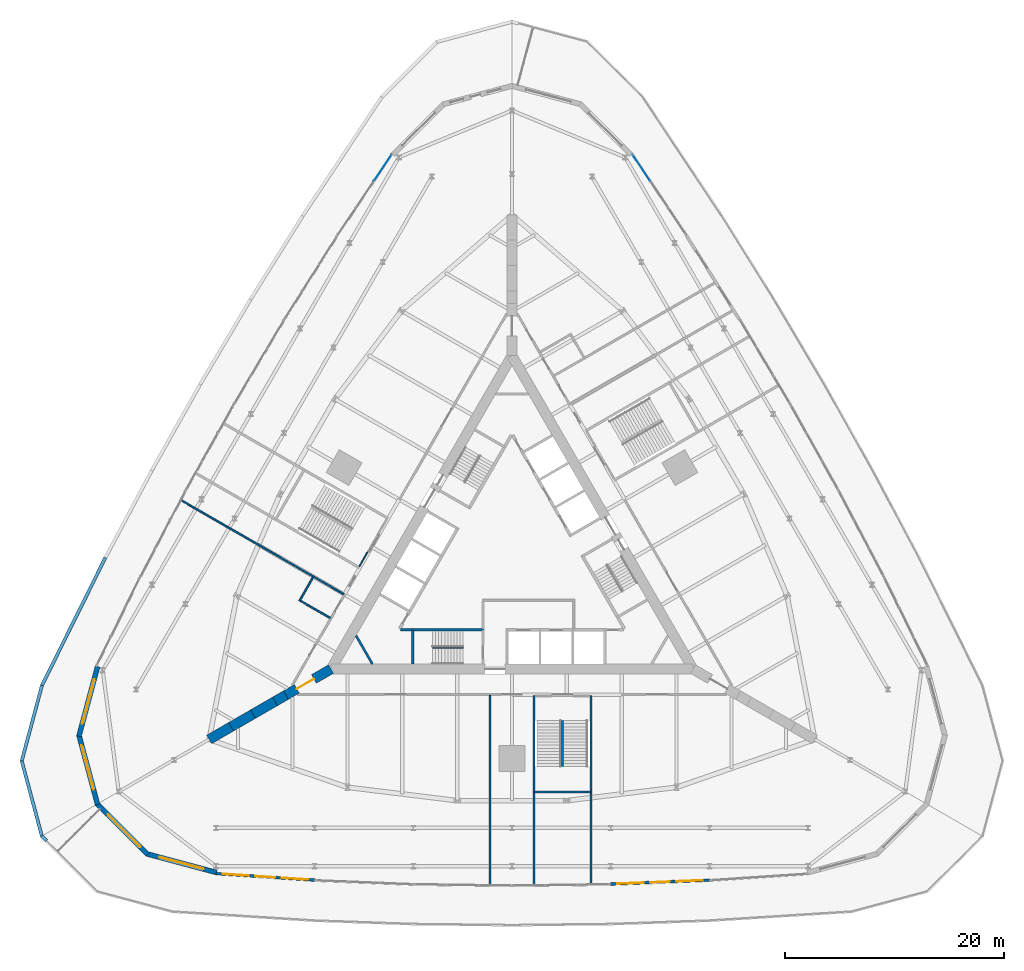
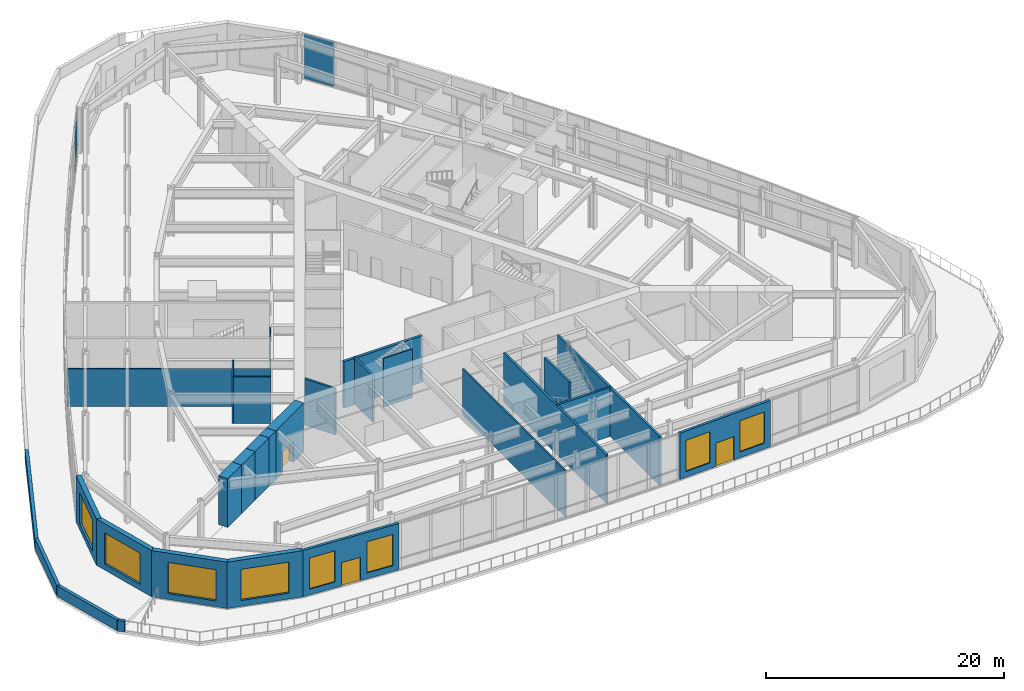
# One storey, part 12 of 20: 28 walls, 8 windows, 4 plates, 3 doors, 11 openings, 2 elements without a shape of their own.
"""IFC4 building model written with IfcOpenShell, lengths in metres."""

from ifc_helpers import new_model, si_unit, direction, frame, frame_2d, origin, origin_2d, place, context, subcontext, project, spatial, rectangle, extrude, material, layer, layer_set, type_object, element, fill, aggregate, save


model = new_model("IFC4")

# Units and contexts
model_context = context("Model", 3, precision=1e-05, world=origin(), true_north=direction((0.0, 1.0)))
body_context = subcontext(model_context, "Body", "Model", "MODEL_VIEW")
ifc_project = project(units=[si_unit("LENGTHUNIT", "METRE"), si_unit("AREAUNIT", "SQUARE_METRE"), si_unit("VOLUMEUNIT", "CUBIC_METRE"), si_unit("PLANEANGLEUNIT", "RADIAN"), si_unit("MASSUNIT", "GRAM", prefix="KILO")], contexts=[model_context])

# Site, building, storey
site_placement = place(None, origin())
site = spatial("IfcSite", under=ifc_project, at=site_placement, CompositionType="ELEMENT")
building_placement = place(site_placement, origin())
building = spatial("IfcBuilding", under=site, at=building_placement, Name="Trikona Tower", CompositionType="ELEMENT")
storey_placement = place(building_placement, frame((0.0, 0.0, 6.0)))
storey = spatial("IfcBuildingStorey", under=building, at=storey_placement, Name="L01", CompositionType="ELEMENT", Elevation=6.0)

# Curtain wall, plates
ifc_material_1 = material(Name="Aluminium curtain wall system", Category="aluminium")
curtain_wall_type = type_object("IfcCurtainWallType", Name="Curtain wall PD", PredefinedType="NOTDEFINED", material=ifc_material_1)
curtain_wall_1_placement = place(storey_placement, origin())
curtain_wall_1 = element("IfcCurtainWall", 1, at=curtain_wall_1_placement, inside=storey, type_object=curtain_wall_type, Name="Curtain wall PD L01", PredefinedType="NOTDEFINED")
ifc_material_2 = material(Name="Clear insulating glass unit", Category="glass")
ifc_layer_1 = layer(ifc_material_2, 0.028076171875)
ifc_layer_set_1 = layer_set([ifc_layer_1], Name="Glass panel PD")
plate_type = type_object("IfcPlateType", Name="Glass panel PD", PredefinedType="CURTAIN_PANEL", material=ifc_layer_set_1)
plate_1_placement = place(storey_placement, frame((11.788330078125, 36.171142578125, 0.08984375), z_axis=(0.0, 0.0, 1.0), x_axis=(-0.556493198213, 0.830852165155, 0.0)))
plate_1 = element("IfcPlate", 2, at=plate_1_placement, type_object=plate_type, Name="CW-PD panel 3.1", PredefinedType="CURTAIN_PANEL", context=body_context, shape_type="SweptSolid", body=[
    extrude(rectangle(XDim=2.831787109375, YDim=0.028076171875, at=origin_2d()), origin(), (0.0, 0.0, 1.0), 0.965087890625),
])
plate_2_placement = place(storey_placement, frame((11.788330078125, 36.171142578125, 1.14501953125), z_axis=(0.0, 0.0, 1.0), x_axis=(-0.556493198213, 0.830852165155, 0.0)))
plate_2 = element("IfcPlate", 3, at=plate_2_placement, type_object=plate_type, Name="CW-PD panel 3.2", PredefinedType="CURTAIN_PANEL", context=body_context, shape_type="SweptSolid", body=[
    extrude(rectangle(XDim=2.831787109375, YDim=0.028076171875, at=origin_2d()), origin(), (0.0, 0.0, 1.0), 3.514892578125),
])
aggregate(curtain_wall_1, [plate_1, plate_2])

curtain_wall_2_placement = place(storey_placement, origin())
curtain_wall_2 = element("IfcCurtainWall", 4, at=curtain_wall_2_placement, inside=storey, type_object=curtain_wall_type, Name="Curtain wall PD L01", PredefinedType="NOTDEFINED")
plate_3_placement = place(storey_placement, frame((-11.788330078125, 36.171142578125, 0.08984375), z_axis=(0.0, 0.0, 1.0), x_axis=(-0.556493198213, -0.830852165155, 0.0)))
plate_3 = element("IfcPlate", 5, at=plate_3_placement, type_object=plate_type, Name="CW-PD panel 1.1", PredefinedType="CURTAIN_PANEL", context=body_context, shape_type="SweptSolid", body=[
    extrude(rectangle(XDim=2.831787109375, YDim=0.028076171875, at=origin_2d()), origin(), (0.0, 0.0, 1.0), 0.965087890625),
])
plate_4_placement = place(storey_placement, frame((-11.788330078125, 36.171142578125, 1.14501953125), z_axis=(0.0, 0.0, 1.0), x_axis=(-0.556493198213, -0.830852165155, 0.0)))
plate_4 = element("IfcPlate", 6, at=plate_4_placement, type_object=plate_type, Name="CW-PD panel 1.2", PredefinedType="CURTAIN_PANEL", context=body_context, shape_type="SweptSolid", body=[
    extrude(rectangle(XDim=2.831787109375, YDim=0.028076171875, at=origin_2d()), origin(), (0.0, 0.0, 1.0), 3.514892578125),
])
aggregate(curtain_wall_2, [plate_3, plate_4])

# Wall, opening, window
ifc_material_3 = material(Name="Brick-faced precast concrete", Category="masonry")
ifc_layer_2 = layer(ifc_material_3, 0.449951171875)
ifc_layer_set_2 = layer_set([ifc_layer_2], Name="Brick-faced corner wall 450")
wall_type_1 = type_object("IfcWallType", Name="Brick-faced corner wall 450", PredefinedType="SOLIDWALL", material=ifc_layer_set_2)
wall_1_placement = place(storey_placement, frame((-37.78271484375, -9.2958984375, 0.0), z_axis=(0.0, 0.0, 1.0), x_axis=(-0.258813420722, -0.96592733332, 0.0)))
wall_1 = element("IfcWall", 7, at=wall_1_placement, inside=storey, type_object=wall_type_1, Name="External wall L01-26", PredefinedType="SOLIDWALL", context=body_context, shape_type="SweptSolid", body=[
    extrude(rectangle(XDim=6.574951171875, YDim=0.449951171875, at=frame_2d((3.28759765625, 0.0))), origin(), (0.0, 0.0, 1.0), 4.75),
])
opening_1_placement = place(wall_1_placement, frame((1.1875, 0.0, 0.60009765625)))
opening_1 = element("IfcOpeningElement", 8, at=opening_1_placement, cuts=wall_1, Name="Opening W4232", PredefinedType="OPENING", context=body_context, shape_type="SweptSolid", body=[
    extrude(rectangle(XDim=4.199951171875, YDim=3.199951171875, at=frame_2d((2.10009765625, 1.60009765625))), frame((0.0, 0.23486328125, 0.0), z_axis=(0.0, -1.0, 0.0), x_axis=(1.0, 0.0, 0.0)), (0.0, 0.0, 1.0), 0.469970703125),
])
ifc_material_4 = material(Name="Aluminium-framed double glazing", Category="aluminium")
window_type_1 = type_object("IfcWindowType", Name="Window 4200x3200", PartitioningType="SINGLE_PANEL", PredefinedType="WINDOW", material=ifc_material_4)
window_1_placement = place(opening_1_placement, origin())
window_1 = element("IfcWindow", 9, at=window_1_placement, inside=storey, type_object=window_type_1, Name="Window L01-LIN", OverallHeight=3.199951171875, OverallWidth=4.199951171875, PartitioningType="SINGLE_PANEL", PredefinedType="WINDOW", context=body_context, shape_type="SweptSolid", body=[
    extrude(rectangle(XDim=4.199951171875, YDim=3.199951171875, at=frame_2d((2.10009765625, 1.60009765625))), frame((0.0, 0.030029296875, 0.0), z_axis=(0.0, -1.0, 0.0), x_axis=(1.0, 0.0, 0.0)), (0.0, 0.0, 1.0), 0.06005859375),
])
fill(opening_1, window_1)

wall_2_placement = place(storey_placement, frame((-39.484375, -15.5302734375, 0.0), z_axis=(0.0, 0.0, 1.0), x_axis=(0.258813420722, -0.96592733332, 0.0)))
wall_2 = element("IfcWall", 10, at=wall_2_placement, inside=storey, type_object=wall_type_1, Name="External wall L01-27", PredefinedType="SOLIDWALL", context=body_context, shape_type="SweptSolid", body=[
    extrude(rectangle(XDim=6.574951171875, YDim=0.449951171875, at=frame_2d((3.28759765625, 0.0))), origin(), (0.0, 0.0, 1.0), 4.75),
])
opening_2_placement = place(wall_2_placement, frame((0.96875, 0.0, 0.60009765625)))
opening_2 = element("IfcOpeningElement", 11, at=opening_2_placement, cuts=wall_2, Name="Opening W4232", PredefinedType="OPENING", context=body_context, shape_type="SweptSolid", body=[
    extrude(rectangle(XDim=4.199951171875, YDim=3.199951171875, at=frame_2d((2.10009765625, 1.60009765625))), frame((0.0, 0.23486328125, 0.0), z_axis=(0.0, -1.0, 0.0), x_axis=(1.0, 0.0, 0.0)), (0.0, 0.0, 1.0), 0.469970703125),
])
window_2_placement = place(opening_2_placement, origin())
window_2 = element("IfcWindow", 12, at=window_2_placement, inside=storey, type_object=window_type_1, Name="Window L01-LIN", OverallHeight=3.199951171875, OverallWidth=4.199951171875, PartitioningType="SINGLE_PANEL", PredefinedType="WINDOW", context=body_context, shape_type="SweptSolid", body=[
    extrude(rectangle(XDim=4.199951171875, YDim=3.199951171875, at=frame_2d((2.10009765625, 1.60009765625))), frame((0.0, 0.030029296875, 0.0), z_axis=(0.0, -1.0, 0.0), x_axis=(1.0, 0.0, 0.0)), (0.0, 0.0, 1.0), 0.06005859375),
])
fill(opening_2, window_2)

wall_3_placement = place(storey_placement, frame((-37.8408203125, -21.7802734375, 0.0), z_axis=(0.0, 0.0, 1.0), x_axis=(0.7070882144, -0.707125347486, 0.0)))
wall_3 = element("IfcWall", 13, at=wall_3_placement, inside=storey, type_object=wall_type_1, Name="External wall L01-28", PredefinedType="SOLIDWALL", context=body_context, shape_type="SweptSolid", body=[
    extrude(rectangle(XDim=6.57470703125, YDim=0.449951171875, at=frame_2d((3.287353515625, 0.0))), origin(), (0.0, 0.0, 1.0), 4.75),
])
opening_3_placement = place(wall_3_placement, frame((1.40576171875, 0.0, 0.60009765625)))
opening_3 = element("IfcOpeningElement", 14, at=opening_3_placement, cuts=wall_3, Name="Opening W4232", PredefinedType="OPENING", context=body_context, shape_type="SweptSolid", body=[
    extrude(rectangle(XDim=4.199951171875, YDim=3.199951171875, at=frame_2d((2.10009765625, 1.60009765625))), frame((0.0, 0.23486328125, 0.0), z_axis=(0.0, -1.0, 0.0), x_axis=(1.0, 0.0, 0.0)), (0.0, 0.0, 1.0), 0.469970703125),
])
window_3_placement = place(opening_3_placement, origin())
window_3 = element("IfcWindow", 15, at=window_3_placement, inside=storey, type_object=window_type_1, Name="Window L01-RST", OverallHeight=3.199951171875, OverallWidth=4.199951171875, PartitioningType="SINGLE_PANEL", PredefinedType="WINDOW", context=body_context, shape_type="SweptSolid", body=[
    extrude(rectangle(XDim=4.199951171875, YDim=3.199951171875, at=frame_2d((2.10009765625, 1.60009765625))), frame((0.0, 0.030029296875, 0.0), z_axis=(0.0, -1.0, 0.0), x_axis=(1.0, 0.0, 0.0)), (0.0, 0.0, 1.0), 0.06005859375),
])
fill(opening_3, window_3)

wall_4_placement = place(storey_placement, frame((-33.292724609375, -26.37109375, 0.0), z_axis=(0.0, 0.0, 1.0), x_axis=(0.965918049854, -0.258848065411, 0.0)))
wall_4 = element("IfcWall", 16, at=wall_4_placement, inside=storey, type_object=wall_type_1, Name="External wall L01-29", PredefinedType="SOLIDWALL", context=body_context, shape_type="SweptSolid", body=[
    extrude(rectangle(XDim=6.574951171875, YDim=0.449951171875, at=frame_2d((3.28759765625, 0.0))), origin(), (0.0, 0.0, 1.0), 4.75),
])
opening_4_placement = place(wall_4_placement, frame((1.1875, 0.0, 0.60009765625)))
opening_4 = element("IfcOpeningElement", 17, at=opening_4_placement, cuts=wall_4, Name="Opening W4232", PredefinedType="OPENING", context=body_context, shape_type="SweptSolid", body=[
    extrude(rectangle(XDim=4.199951171875, YDim=3.199951171875, at=frame_2d((2.10009765625, 1.60009765625))), frame((0.0, 0.23486328125, 0.0), z_axis=(0.0, -1.0, 0.0), x_axis=(1.0, 0.0, 0.0)), (0.0, 0.0, 1.0), 0.469970703125),
])
window_4_placement = place(opening_4_placement, origin())
window_4 = element("IfcWindow", 18, at=window_4_placement, inside=storey, type_object=window_type_1, Name="Window L01-RST", OverallHeight=3.199951171875, OverallWidth=4.199951171875, PartitioningType="SINGLE_PANEL", PredefinedType="WINDOW", context=body_context, shape_type="SweptSolid", body=[
    extrude(rectangle(XDim=4.199951171875, YDim=3.199951171875, at=frame_2d((2.10009765625, 1.60009765625))), frame((0.0, 0.030029296875, 0.0), z_axis=(0.0, -1.0, 0.0), x_axis=(1.0, 0.0, 0.0)), (0.0, 0.0, 1.0), 0.06005859375),
])
fill(opening_4, window_4)

# Wall, opening, door
ifc_material_5 = material(Name="Concrete f'c 10000 psi", Category="concrete")
ifc_layer_3 = layer(ifc_material_5, 0.89990234375)
ifc_layer_set_3 = layer_set([ifc_layer_3], Name="Buttress wall 900")
wall_type_2 = type_object("IfcWallType", Name="Buttress wall 900", PredefinedType="SHEAR", material=ifc_layer_set_3)
wall_5_placement = place(storey_placement, frame((-16.5, -9.5263671875, 0.0), z_axis=(0.0, 0.0, 1.0), x_axis=(-0.866031398331, -0.499989616998, 0.0)))
wall_5 = element("IfcWall", 19, at=wall_5_placement, inside=storey, type_object=wall_type_2, Name="Buttress wall 3", PredefinedType="SHEAR", context=body_context, shape_type="SweptSolid", body=[
    extrude(rectangle(XDim=4.74609375, YDim=0.89990234375, at=frame_2d((2.373046875, 0.0))), origin(), (0.0, 0.0, 1.0), 5.0),
])
opening_5_placement = place(wall_5_placement, frame((1.800048828125, 0.0, 0.0)))
opening_5 = element("IfcOpeningElement", 20, at=opening_5_placement, cuts=wall_5, Name="Opening D10", PredefinedType="OPENING", context=body_context, shape_type="SweptSolid", body=[
    extrude(rectangle(XDim=1.800048828125, YDim=2.1298828125, at=frame_2d((0.89990234375, 1.06494140625))), frame((0.0, 0.4599609375, 0.0), z_axis=(0.0, -1.0, 0.0), x_axis=(1.0, 0.0, 0.0)), (0.0, 0.0, 1.0), 0.919921875),
])
ifc_material_6 = material(Name="Hollow metal door and frame", Category="steel")
door_type_1 = type_object("IfcDoorType", Name="Cross-corridor door pair 1800x2130", OperationType="DOUBLE_DOOR_DOUBLE_SWING", PredefinedType="DOOR", material=ifc_material_6)
door_1_placement = place(opening_5_placement, origin())
door_1 = element("IfcDoor", 21, at=door_1_placement, inside=storey, type_object=door_type_1, Name="Cross-corridor door 3", OperationType="DOUBLE_DOOR_DOUBLE_SWING", OverallHeight=2.1298828125, OverallWidth=1.800048828125, PredefinedType="DOOR", context=body_context, shape_type="SweptSolid", body=[
    extrude(rectangle(XDim=1.800048828125, YDim=2.1298828125, at=frame_2d((0.89990234375, 1.06494140625))), frame((0.0, 0.02490234375, 0.0), z_axis=(0.0, -1.0, 0.0), x_axis=(1.0, 0.0, 0.0)), (0.0, 0.0, 1.0), 0.050048828125),
])
fill(opening_5, door_1)

# Walls
wall_6_placement = place(storey_placement, frame((-20.6103515625, -11.8994140625, 0.0), z_axis=(0.0, 0.0, 1.0), x_axis=(-0.866009537788, -0.500027479704, 0.0)))
element("IfcWall", 22, at=wall_6_placement, inside=storey, type_object=wall_type_2, Name="Buttress wall 3 part 2", PredefinedType="SHEAR", context=body_context, shape_type="SweptSolid", body=[
    extrude(rectangle(XDim=1.15478515625, YDim=0.89990234375, at=frame_2d((0.577392578125, 0.0))), origin(), (0.0, 0.0, 1.0), 5.0),
])
for number, where, z_axis, x_axis, name in (
    (23, (-21.6103515625, -12.476806640625, 0.0), (0.0, 0.0, 1.0), (-0.866055313784, -0.499948190782, 0.0), "Buttress wall 3 part 3"),
    (24, (-23.6103515625, -13.63134765625, 0.0), (0.0, 0.0, 1.0), (-0.866009537788, -0.500027479704, 0.0), "Buttress wall 3 part 4"),
    (25, (-25.6103515625, -14.7861328125, 0.0), (0.0, 0.0, 1.0), (-0.866009537788, -0.500027479704, 0.0), "Buttress wall 3 part 5"),
):
    element("IfcWall", number, at=place(storey_placement, frame(where, z_axis=z_axis, x_axis=x_axis)), inside=storey, type_object=wall_type_2, Name=name, PredefinedType="SHEAR", context=body_context, shape_type="SweptSolid", body=[
        extrude(rectangle(XDim=2.309326171875, YDim=0.89990234375, at=frame_2d((1.15478515625, 0.0))), origin(), (0.0, 0.0, 1.0), 5.0),
    ])
ifc_material_7 = material(Name="Concrete f'c 8000 psi", Category="concrete")
ifc_layer_4 = layer(ifc_material_7, 0.25)
ifc_layer_set_4 = layer_set([ifc_layer_4], Name="Hub wall 250")
wall_type_3 = type_object("IfcWallType", Name="Hub wall 250", PredefinedType="SOLIDWALL", material=ifc_layer_set_4)
wall_7_placement = place(storey_placement, frame((-10.182861328125, -5.951416015625, 0.0), z_axis=(0.0, 0.0, 1.0), x_axis=(1.0, 0.0, 0.0)))
element("IfcWall", 26, at=wall_7_placement, inside=storey, type_object=wall_type_3, Name="Lift lobby wall A1", PredefinedType="SOLIDWALL", context=body_context, shape_type="SweptSolid", body=[
    extrude(rectangle(XDim=7.6328125, YDim=0.25, at=frame_2d((3.81640625, 0.0))), origin(), (0.0, 0.0, 1.0), 4.75),
])

# Wall, openings, door, windows
ifc_material_8 = material(Name="Insulated precast concrete spandrel panel", Category="concrete")
ifc_layer_5 = layer(ifc_material_8, 0.25)
ifc_layer_set_5 = layer_set([ifc_layer_5], Name="Inner skin wall 250")
wall_type_4 = type_object("IfcWallType", Name="Inner skin wall 250", PredefinedType="STANDARD", material=ifc_layer_set_5)
wall_8_placement = place(storey_placement, frame((-26.99169921875, -28.16552734375, 0.0), z_axis=(0.0, 0.0, 1.0), x_axis=(0.997786235602, -0.066502842363, 0.0)))
wall_8 = element("IfcWall", 27, at=wall_8_placement, inside=storey, type_object=wall_type_4, Name="External wall L01-00", PredefinedType="STANDARD", context=body_context, shape_type="SweptSolid", body=[
    extrude(rectangle(XDim=9.02001953125, YDim=0.25, at=frame_2d((4.510009765625, 0.0))), origin(), (0.0, 0.0, 1.0), 4.75),
])
opening_6_placement = place(wall_8_placement, frame((3.610107421875, 0.0, 0.0)))
opening_6 = element("IfcOpeningElement", 28, at=opening_6_placement, cuts=wall_8, Name="Opening D8", PredefinedType="OPENING", context=body_context, shape_type="SweptSolid", body=[
    extrude(rectangle(XDim=1.800048828125, YDim=2.39990234375, at=frame_2d((0.89990234375, 1.199951171875))), frame((0.0, 0.135009765625, 0.0), z_axis=(0.0, -1.0, 0.0), x_axis=(1.0, 0.0, 0.0)), (0.0, 0.0, 1.0), 0.27001953125),
])
opening_7_placement = place(wall_8_placement, frame((0.60498046875, 0.0, 0.60009765625)))
opening_7 = element("IfcOpeningElement", 29, at=opening_7_placement, cuts=wall_8, Name="Opening W2432", PredefinedType="OPENING", context=body_context, shape_type="SweptSolid", body=[
    extrude(rectangle(XDim=2.39990234375, YDim=3.199951171875, at=frame_2d((1.199951171875, 1.60009765625))), frame((0.0, 0.135009765625, 0.0), z_axis=(0.0, -1.0, 0.0), x_axis=(1.0, 0.0, 0.0)), (0.0, 0.0, 1.0), 0.27001953125),
])
opening_8_placement = place(wall_8_placement, frame((6.014892578125, 0.0, 0.60009765625)))
opening_8 = element("IfcOpeningElement", 30, at=opening_8_placement, cuts=wall_8, Name="Opening W2432", PredefinedType="OPENING", context=body_context, shape_type="SweptSolid", body=[
    extrude(rectangle(XDim=2.39990234375, YDim=3.199951171875, at=frame_2d((1.199951171875, 1.60009765625))), frame((0.0, 0.135009765625, 0.0), z_axis=(0.0, -1.0, 0.0), x_axis=(1.0, 0.0, 0.0)), (0.0, 0.0, 1.0), 0.27001953125),
])
ifc_material_9 = material(Name="Aluminium-framed glazed door", Category="aluminium")
door_type_2 = type_object("IfcDoorType", Name="Terrace door pair 1800x2400", OperationType="DOUBLE_DOOR_SINGLE_SWING", PredefinedType="DOOR", material=ifc_material_9)
door_2_placement = place(opening_6_placement, origin())
door_2 = element("IfcDoor", 31, at=door_2_placement, inside=storey, type_object=door_type_2, Name="Terrace door Restaurant and bar", OperationType="DOUBLE_DOOR_SINGLE_SWING", OverallHeight=2.39990234375, OverallWidth=1.800048828125, PredefinedType="DOOR", context=body_context, shape_type="SweptSolid", body=[
    extrude(rectangle(XDim=1.800048828125, YDim=2.39990234375, at=frame_2d((0.89990234375, 1.199951171875))), frame((0.0, 0.02490234375, 0.0), z_axis=(0.0, -1.0, 0.0), x_axis=(1.0, 0.0, 0.0)), (0.0, 0.0, 1.0), 0.050048828125),
])
fill(opening_6, door_2)
ifc_material_10 = material(Name="Aluminium-framed double glazing", Category="aluminium")
window_type_2 = type_object("IfcWindowType", Name="Window 2400x3200", PartitioningType="SINGLE_PANEL", PredefinedType="WINDOW", material=ifc_material_10)
window_5_placement = place(opening_7_placement, origin())
window_5 = element("IfcWindow", 32, at=window_5_placement, inside=storey, type_object=window_type_2, Name="Window L01-RST", OverallHeight=3.199951171875, OverallWidth=2.39990234375, PartitioningType="SINGLE_PANEL", PredefinedType="WINDOW", context=body_context, shape_type="SweptSolid", body=[
    extrude(rectangle(XDim=2.39990234375, YDim=3.199951171875, at=frame_2d((1.199951171875, 1.60009765625))), frame((0.0, 0.030029296875, 0.0), z_axis=(0.0, -1.0, 0.0), x_axis=(1.0, 0.0, 0.0)), (0.0, 0.0, 1.0), 0.06005859375),
])
fill(opening_7, window_5)
window_6_placement = place(opening_8_placement, origin())
window_6 = element("IfcWindow", 33, at=window_6_placement, inside=storey, type_object=window_type_2, Name="Window L01-RST", OverallHeight=3.199951171875, OverallWidth=2.39990234375, PartitioningType="SINGLE_PANEL", PredefinedType="WINDOW", context=body_context, shape_type="SweptSolid", body=[
    extrude(rectangle(XDim=2.39990234375, YDim=3.199951171875, at=frame_2d((1.199951171875, 1.60009765625))), frame((0.0, 0.030029296875, 0.0), z_axis=(0.0, -1.0, 0.0), x_axis=(1.0, 0.0, 0.0)), (0.0, 0.0, 1.0), 0.06005859375),
])
fill(opening_8, window_6)

wall_9_placement = place(storey_placement, frame((8.9951171875, -29.125244140625, 0.0), z_axis=(0.0, 0.0, 1.0), x_axis=(0.999201564791, 0.039952883748, 0.0)))
wall_9 = element("IfcWall", 34, at=wall_9_placement, inside=storey, type_object=wall_type_4, Name="External wall L01-04", PredefinedType="STANDARD", context=body_context, shape_type="SweptSolid", body=[
    extrude(rectangle(XDim=9.007080078125, YDim=0.25, at=frame_2d((4.50341796875, 0.0))), origin(), (0.0, 0.0, 1.0), 4.75),
])
opening_9_placement = place(wall_9_placement, frame((3.603515625, 0.0, 0.0)))
opening_9 = element("IfcOpeningElement", 35, at=opening_9_placement, cuts=wall_9, Name="Opening D8", PredefinedType="OPENING", context=body_context, shape_type="SweptSolid", body=[
    extrude(rectangle(XDim=1.800048828125, YDim=2.39990234375, at=frame_2d((0.89990234375, 1.199951171875))), frame((0.0, 0.135009765625, 0.0), z_axis=(0.0, -1.0, 0.0), x_axis=(1.0, 0.0, 0.0)), (0.0, 0.0, 1.0), 0.27001953125),
])
opening_10_placement = place(wall_9_placement, frame((0.601806640625, 0.0, 0.60009765625)))
opening_10 = element("IfcOpeningElement", 36, at=opening_10_placement, cuts=wall_9, Name="Opening W2432", PredefinedType="OPENING", context=body_context, shape_type="SweptSolid", body=[
    extrude(rectangle(XDim=2.39990234375, YDim=3.199951171875, at=frame_2d((1.199951171875, 1.60009765625))), frame((0.0, 0.135009765625, 0.0), z_axis=(0.0, -1.0, 0.0), x_axis=(1.0, 0.0, 0.0)), (0.0, 0.0, 1.0), 0.27001953125),
])
opening_11_placement = place(wall_9_placement, frame((6.00537109375, 0.0, 0.60009765625)))
opening_11 = element("IfcOpeningElement", 37, at=opening_11_placement, cuts=wall_9, Name="Opening W2432", PredefinedType="OPENING", context=body_context, shape_type="SweptSolid", body=[
    extrude(rectangle(XDim=2.39990234375, YDim=3.199951171875, at=frame_2d((1.199951171875, 1.60009765625))), frame((0.0, 0.135009765625, 0.0), z_axis=(0.0, -1.0, 0.0), x_axis=(1.0, 0.0, 0.0)), (0.0, 0.0, 1.0), 0.27001953125),
])
door_3_placement = place(opening_9_placement, origin())
door_3 = element("IfcDoor", 38, at=door_3_placement, inside=storey, type_object=door_type_2, Name="Terrace door Hotel lounge", OperationType="DOUBLE_DOOR_SINGLE_SWING", OverallHeight=2.39990234375, OverallWidth=1.800048828125, PredefinedType="DOOR", context=body_context, shape_type="SweptSolid", body=[
    extrude(rectangle(XDim=1.800048828125, YDim=2.39990234375, at=frame_2d((0.89990234375, 1.199951171875))), frame((0.0, 0.02490234375, 0.0), z_axis=(0.0, -1.0, 0.0), x_axis=(1.0, 0.0, 0.0)), (0.0, 0.0, 1.0), 0.050048828125),
])
fill(opening_9, door_3)
window_7_placement = place(opening_10_placement, origin())
window_7 = element("IfcWindow", 39, at=window_7_placement, inside=storey, type_object=window_type_2, Name="Window L01-LNG", OverallHeight=3.199951171875, OverallWidth=2.39990234375, PartitioningType="SINGLE_PANEL", PredefinedType="WINDOW", context=body_context, shape_type="SweptSolid", body=[
    extrude(rectangle(XDim=2.39990234375, YDim=3.199951171875, at=frame_2d((1.199951171875, 1.60009765625))), frame((0.0, 0.030029296875, 0.0), z_axis=(0.0, -1.0, 0.0), x_axis=(1.0, 0.0, 0.0)), (0.0, 0.0, 1.0), 0.06005859375),
])
fill(opening_10, window_7)
window_8_placement = place(opening_11_placement, origin())
window_8 = element("IfcWindow", 40, at=window_8_placement, inside=storey, type_object=window_type_2, Name="Window L01-LNG", OverallHeight=3.199951171875, OverallWidth=2.39990234375, PartitioningType="SINGLE_PANEL", PredefinedType="WINDOW", context=body_context, shape_type="SweptSolid", body=[
    extrude(rectangle(XDim=2.39990234375, YDim=3.199951171875, at=frame_2d((1.199951171875, 1.60009765625))), frame((0.0, 0.030029296875, 0.0), z_axis=(0.0, -1.0, 0.0), x_axis=(1.0, 0.0, 0.0)), (0.0, 0.0, 1.0), 0.06005859375),
])
fill(opening_11, window_8)

# Walls
ifc_material_11 = material(Name="Brick-faced precast concrete", Category="masonry")
ifc_layer_6 = layer(ifc_material_11, 0.300048828125)
ifc_layer_set_6 = layer_set([ifc_layer_6], Name="Parapet wall 300")
wall_type_5 = type_object("IfcWallType", Name="Parapet wall 300", PredefinedType="PARAPET", material=ifc_layer_set_6)
wall_10_placement = place(storey_placement, frame((-42.44140625, -25.172607421875, 0.0), z_axis=(0.0, 0.0, 1.0), x_axis=(-0.707106781187, 0.707106781187, 0.0)))
element("IfcWall", 41, at=wall_10_placement, inside=storey, type_object=wall_type_5, Name="Green roof parapet L01-1-00", PredefinedType="PARAPET", context=body_context, shape_type="SweptSolid", body=[
    extrude(rectangle(XDim=0.599609375, YDim=0.300048828125, at=frame_2d((0.2998046875, 0.0))), origin(), (0.0, 0.0, 1.0), 1.10009765625),
])
wall_11_placement = place(storey_placement, frame((-42.865478515625, -24.74853515625, 0.0), z_axis=(0.0, 0.0, 1.0), x_axis=(-0.258830146848, 0.965922851517, 0.0)))
element("IfcWall", 42, at=wall_11_placement, inside=storey, type_object=wall_type_5, Name="Green roof parapet L01-1-01", PredefinedType="PARAPET", context=body_context, shape_type="SweptSolid", body=[
    extrude(rectangle(XDim=7.09228515625, YDim=0.300048828125, at=frame_2d((3.546142578125, 0.0))), origin(), (0.0, 0.0, 1.0), 1.10009765625),
])
wall_12_placement = place(storey_placement, frame((-44.701171875, -17.89794921875, 0.0), z_axis=(0.0, 0.0, 1.0), x_axis=(0.258836670666, 0.965921103361, 0.0)))
element("IfcWall", 43, at=wall_12_placement, inside=storey, type_object=wall_type_5, Name="Green roof parapet L01-1-02", PredefinedType="PARAPET", context=body_context, shape_type="SweptSolid", body=[
    extrude(rectangle(XDim=7.11767578125, YDim=0.300048828125, at=frame_2d((3.558837890625, 0.0))), origin(), (0.0, 0.0, 1.0), 1.10009765625),
])
wall_13_placement = place(storey_placement, frame((-42.85888671875, -11.02294921875, 0.0), z_axis=(0.0, 0.0, 1.0), x_axis=(0.444351186514, 0.895852679319, 0.0)))
element("IfcWall", 44, at=wall_13_placement, inside=storey, type_object=wall_type_5, Name="Green roof parapet L01-1-03", PredefinedType="PARAPET", context=body_context, shape_type="SweptSolid", body=[
    extrude(rectangle(XDim=13.0087890625, YDim=0.300048828125, at=frame_2d((6.50439453125, 0.0))), origin(), (0.0, 0.0, 1.0), 1.10009765625),
])
ifc_material_12 = material(Name="Metal stud and gypsum board, 1-hour acoustic", Category="gypsum")
ifc_layer_7 = layer(ifc_material_12, 0.14990234375)
ifc_layer_set_7 = layer_set([ifc_layer_7], Name="Party wall 150")
wall_type_6 = type_object("IfcWallType", Name="Party wall 150", PredefinedType="PARTITIONING", material=ifc_layer_set_7)
wall_14_placement = place(storey_placement, frame((-2.0, -11.92626953125, 0.0), z_axis=(0.0, 0.0, 1.0), x_axis=(0.0, -1.0, 0.0)))
element("IfcWall", 45, at=wall_14_placement, inside=storey, type_object=wall_type_6, Name="Partition L01 F1 u-2", PredefinedType="PARTITIONING", context=body_context, shape_type="SweptSolid", body=[
    extrude(rectangle(XDim=17.236328125, YDim=0.14990234375, at=frame_2d((8.6181640625, 0.0))), origin(), (0.0, 0.0, 1.0), 4.75),
])
wall_15_placement = place(storey_placement, frame((-15.32861328125, -2.697021484375, 0.0), z_axis=(0.0, 0.0, 1.0), x_axis=(-0.866025820012, 0.499999279071, 0.0)))
element("IfcWall", 46, at=wall_15_placement, inside=storey, type_object=wall_type_6, Name="Partition L01 F3 u10", PredefinedType="PARTITIONING", context=body_context, shape_type="SweptSolid", body=[
    extrude(rectangle(XDim=17.1005859375, YDim=0.14990234375, at=frame_2d((8.55029296875, 0.0))), origin(), (0.0, 0.0, 1.0), 3.8076171875),
])
wall_16_placement = place(storey_placement, frame((-18.13720703125, -1.162109375, 0.0), z_axis=(0.0, 0.0, 1.0), x_axis=(-0.500004234368, -0.866022959057, 0.0)))
element("IfcWall", 47, at=wall_16_placement, inside=storey, type_object=wall_type_6, Name="Partition L01 F3 u10 back", PredefinedType="PARTITIONING", context=body_context, shape_type="SweptSolid", body=[
    extrude(rectangle(XDim=2.5, YDim=0.14990234375, at=frame_2d((1.25, 0.0))), origin(), (0.0, 0.0, 1.0), 4.75),
])
wall_17_placement = place(storey_placement, frame((-16.57861328125, -4.8623046875, 0.0), z_axis=(0.0, 0.0, 1.0), x_axis=(-0.866022959057, 0.500004234368, 0.0)))
element("IfcWall", 48, at=wall_17_placement, inside=storey, type_object=wall_type_6, Name="Partition L01 F3 u12.5", PredefinedType="PARTITIONING", context=body_context, shape_type="SweptSolid", body=[
    extrude(rectangle(XDim=3.125, YDim=0.14990234375, at=frame_2d((1.5625, 0.0))), origin(), (0.0, 0.0, 1.0), 4.75),
])
ifc_material_13 = material(Name="Concrete f'c 8000 psi", Category="concrete")
ifc_layer_8 = layer(ifc_material_13, 0.199951171875)
ifc_layer_set_8 = layer_set([ifc_layer_8], Name="Shaft wall 200")
wall_type_7 = type_object("IfcWallType", Name="Shaft wall 200", PredefinedType="SOLIDWALL", material=ifc_layer_set_8)
wall_18_placement = place(storey_placement, frame((-12.718505859375, -9.076416015625, 0.0), z_axis=(0.0, 0.0, 1.0), x_axis=(-0.499952404951, 0.866052881055, 0.0)))
element("IfcWall", 49, at=wall_18_placement, inside=storey, type_object=wall_type_7, Name="Riser wall L01-RS3", PredefinedType="SOLIDWALL", context=body_context, shape_type="SweptSolid", body=[
    extrude(rectangle(XDim=3.002197265625, YDim=0.199951171875, at=frame_2d((1.5009765625, 0.0))), origin(), (0.0, 0.0, 1.0), 4.75),
])
ifc_material_14 = material(Name="Concrete f'c 8000 psi", Category="concrete")
ifc_layer_9 = layer(ifc_material_14, 0.199951171875)
ifc_layer_set_9 = layer_set([ifc_layer_9], Name="Shaft wall 200 load-bearing")
wall_type_8 = type_object("IfcWallType", Name="Shaft wall 200 load-bearing", PredefinedType="SOLIDWALL", material=ifc_layer_set_9)
wall_19_placement = place(storey_placement, frame((-9.050048828125, -5.951416015625, 0.0), z_axis=(0.0, 0.0, 1.0), x_axis=(0.0, -1.0, 0.0)))
element("IfcWall", 50, at=wall_19_placement, inside=storey, type_object=wall_type_8, Name="Shaft wall A1", PredefinedType="SOLIDWALL", context=body_context, shape_type="SweptSolid", body=[
    extrude(rectangle(XDim=3.125, YDim=0.199951171875, at=frame_2d((1.5625, 0.0))), origin(), (0.0, 0.0, 1.0), 4.75),
])
ifc_material_15 = material(Name="Concrete f'c 6000 psi", Category="concrete")
ifc_layer_10 = layer(ifc_material_15, 0.10009765625)
ifc_layer_set_10 = layer_set([ifc_layer_10], Name="Stair enclosure wall 100")
wall_type_9 = type_object("IfcWallType", Name="Stair enclosure wall 100", PredefinedType="SOLIDWALL", material=ifc_layer_set_10)
wall_20_placement = place(storey_placement, frame((-13.171875, 1.138427734375, 0.0), z_axis=(0.0, 0.0, 1.0), x_axis=(-0.499990139034, -0.866031096941, 0.0)))
element("IfcWall", 51, at=wall_20_placement, inside=storey, type_object=wall_type_9, Name="Podium stair PS3 end pier 2 L01", PredefinedType="SOLIDWALL", context=body_context, shape_type="SweptSolid", body=[
    extrude(rectangle(XDim=1.5, YDim=0.10009765625, at=frame_2d((0.75, 0.0))), origin(), (0.0, 0.0, 1.0), 5.0),
])
ifc_material_16 = material(Name="Concrete f'c 6000 psi", Category="concrete")
ifc_layer_11 = layer(ifc_material_16, 0.199951171875)
ifc_layer_set_11 = layer_set([ifc_layer_11], Name="Stair enclosure wall 200")
wall_type_10 = type_object("IfcWallType", Name="Stair enclosure wall 200", PredefinedType="SHEAR", material=ifc_layer_set_11)
wall_21_placement = place(storey_placement, frame((2.0, -11.92626953125, 0.0), z_axis=(0.0, 0.0, 1.0), x_axis=(0.0, -1.0, 0.0)))
element("IfcWall", 52, at=wall_21_placement, inside=storey, type_object=wall_type_10, Name="Stair enclosure L01 F1 u2", PredefinedType="SHEAR", context=body_context, shape_type="SweptSolid", body=[
    extrude(rectangle(XDim=17.236328125, YDim=0.199951171875, at=frame_2d((8.6181640625, 0.0))), origin(), (0.0, 0.0, 1.0), 5.0),
])
wall_22_placement = place(storey_placement, frame((7.199951171875, -11.92626953125, 0.0), z_axis=(0.0, 0.0, 1.0), x_axis=(0.0, -1.0, 0.0)))
element("IfcWall", 53, at=wall_22_placement, inside=storey, type_object=wall_type_10, Name="Stair enclosure L01 F1 u7.2", PredefinedType="SHEAR", context=body_context, shape_type="SweptSolid", body=[
    extrude(rectangle(XDim=17.1669921875, YDim=0.199951171875, at=frame_2d((8.58349609375, 0.0))), origin(), (0.0, 0.0, 1.0), 5.0),
])
wall_23_placement = place(storey_placement, frame((2.0, -20.726318359375, 0.0), z_axis=(0.0, 0.0, 1.0), x_axis=(1.0, 0.0, 0.0)))
element("IfcWall", 54, at=wall_23_placement, inside=storey, type_object=wall_type_10, Name="Podium stair PS1 end wall", PredefinedType="SHEAR", context=body_context, shape_type="SweptSolid", body=[
    extrude(rectangle(XDim=5.199951171875, YDim=0.199951171875, at=frame_2d((2.60009765625, 0.0))), origin(), (0.0, 0.0, 1.0), 5.0),
])
ifc_material_17 = material(Name="Concrete f'c 5000 psi", Category="concrete")
ifc_layer_12 = layer(ifc_material_17, 0.10009765625)
ifc_layer_set_12 = layer_set([ifc_layer_12], Name="Stair spine wall 100")
wall_type_11 = type_object("IfcWallType", Name="Stair spine wall 100", PredefinedType="SOLIDWALL", material=ifc_layer_set_12)
wall_24_placement = place(storey_placement, frame((-7.2470703125, -7.576416015625, 0.0), z_axis=(0.0, 0.0, 1.0), x_axis=(1.0, 0.0, 0.0)))
element("IfcWall", 55, at=wall_24_placement, inside=storey, type_object=wall_type_11, Name="Stair A spine wall L01", PredefinedType="SOLIDWALL", context=body_context, shape_type="SweptSolid", body=[
    extrude(rectangle(XDim=2.794189453125, YDim=0.10009765625, at=frame_2d((1.39697265625, 0.0))), origin(), (0.0, 0.0, 1.0), 5.0),
])
ifc_material_18 = material(Name="Concrete f'c 5000 psi", Category="concrete")
ifc_layer_13 = layer(ifc_material_18, 0.2001953125)
ifc_layer_set_13 = layer_set([ifc_layer_13], Name="Stair spine wall 200")
wall_type_12 = type_object("IfcWallType", Name="Stair spine wall 200", PredefinedType="SOLIDWALL", material=ifc_layer_set_13)
wall_25_placement = place(storey_placement, frame((4.60009765625, -14.229248046875, 0.0), z_axis=(0.0, 0.0, 1.0), x_axis=(0.0, -1.0, 0.0)))
element("IfcWall", 56, at=wall_25_placement, inside=storey, type_object=wall_type_12, Name="Podium stair PS1 spine wall L01", PredefinedType="SOLIDWALL", context=body_context, shape_type="SweptSolid", body=[
    extrude(rectangle(XDim=4.194091796875, YDim=0.199951171875, at=frame_2d((2.09716796875, 0.0))), origin(), (0.0, 0.0, 1.0), 5.0),
])

save(model, "model.ifc")
